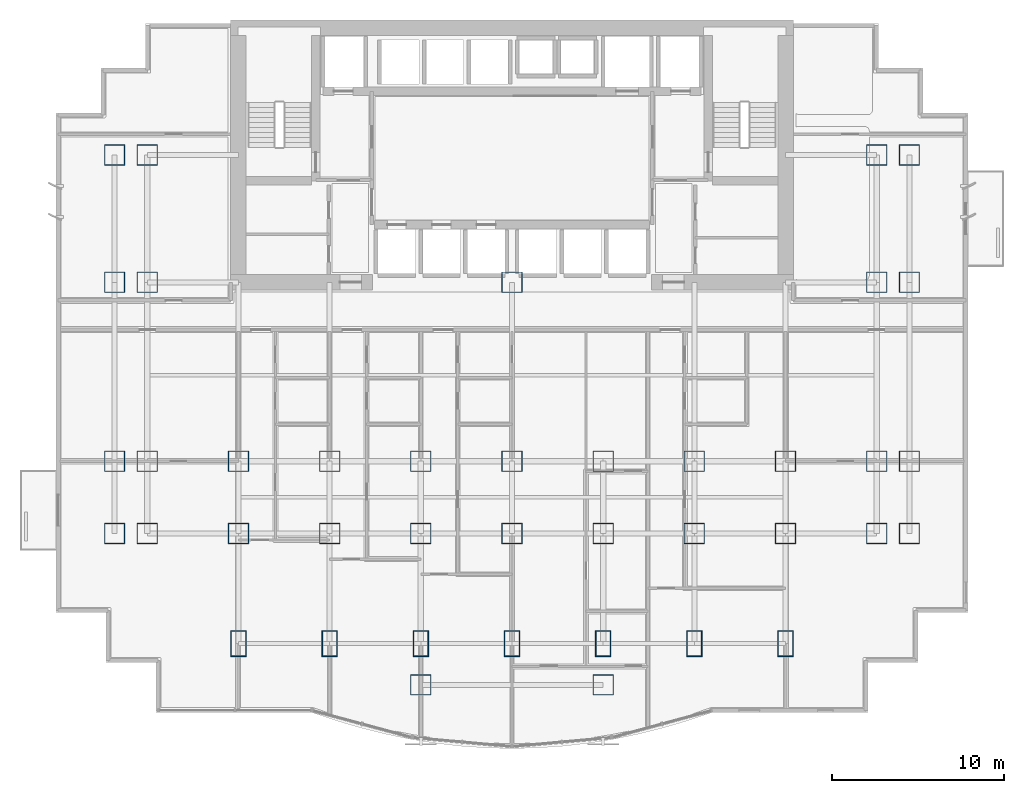
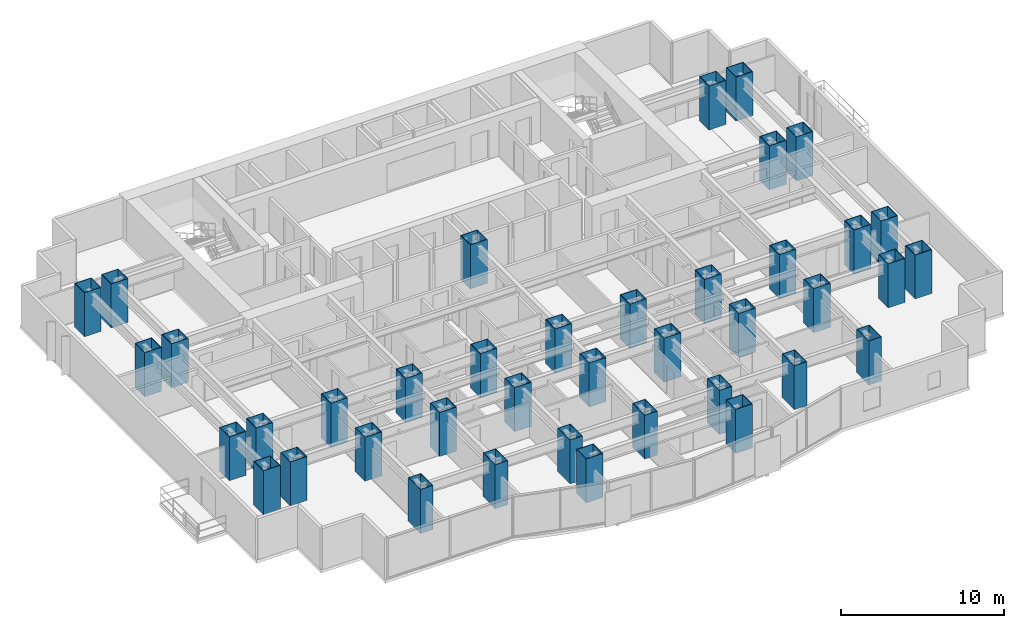
# One storey, part 1 of 10: 40 columns.
"""IFC4 building model written with IfcOpenShell, lengths in metres."""

from ifc_helpers import new_model, si_unit, direction, frame, origin, origin_2d, place, context, subcontext, project, spatial, hollow_rectangle, extrude, material, material_profile, profile_set, type_object, element, save


model = new_model("IFC4")

# Units and contexts
model_context = context("Model", 3, precision=1e-05, world=origin(), true_north=direction((0.0, 1.0)))
body_context = subcontext(model_context, "Body", "Model", "MODEL_VIEW")
ifc_project = project(units=[si_unit("LENGTHUNIT", "METRE"), si_unit("AREAUNIT", "SQUARE_METRE"), si_unit("VOLUMEUNIT", "CUBIC_METRE"), si_unit("PLANEANGLEUNIT", "RADIAN"), si_unit("MASSUNIT", "GRAM", prefix="KILO")], contexts=[model_context])

# Site, building, storey
site_placement = place(None, origin())
site = spatial("IfcSite", under=ifc_project, at=site_placement, CompositionType="ELEMENT")
building_placement = place(site_placement, origin())
building = spatial("IfcBuilding", under=site, at=building_placement, Name="Qianlan Lanfeng Residences", CompositionType="ELEMENT")
storey_placement = place(building_placement, frame((0.0, 0.0, 40.699951171875)))
storey = spatial("IfcBuildingStorey", under=building, at=storey_placement, Name="L10", CompositionType="ELEMENT", Elevation=40.699951171875)

# Columns
ifc_material_1 = material(Name="Steel SM570 (420 MPa)", Category="steel")
ifc_material_profile_1 = material_profile(ifc_material_1, hollow_rectangle(XDim=1.199951171875, YDim=1.199951171875, WallThickness=0.0400390625, at=origin_2d()), Name="BOX 1200x1200x40")
ifc_profile_set_1 = profile_set([ifc_material_profile_1], Name="Steel SM570 (420 MPa)")
column_type_1 = type_object("IfcColumnType", Name="C-B1400", PredefinedType="COLUMN", material=ifc_profile_set_1)
for number, where, z_axis, x_axis, name in (
    (1, (26.5, 25.199951171875, 0.0), (0.0, 0.0, 1.0), (1.0, 0.0, 0.0), "L10 Structural Column CP_26.5_25.2"),
    (2, (10.60009765625, 14.800048828125, 0.0), (0.0, 0.0, 1.0), (1.0, 0.0, 0.0), "L10 Structural Column M_10.60_14.80"),
    (3, (10.60009765625, 10.60009765625, 0.0), (0.0, 0.0, 1.0), (1.0, 0.0, 0.0), "L10 Structural Column G_10.60_10.60"),
    (4, (15.89990234375, 14.800048828125, 0.0), (0.0, 0.0, 1.0), (1.0, 0.0, 0.0), "L10 Structural Column M_15.90_14.80"),
    (5, (15.89990234375, 10.60009765625, 0.0), (0.0, 0.0, 1.0), (1.0, 0.0, 0.0), "L10 Structural Column G_15.90_10.60"),
    (6, (21.199951171875, 14.800048828125, 0.0), (0.0, 0.0, 1.0), (1.0, 0.0, 0.0), "L10 Structural Column M_21.20_14.80"),
    (7, (21.199951171875, 10.60009765625, 0.0), (0.0, 0.0, 1.0), (1.0, 0.0, 0.0), "L10 Structural Column G_21.20_10.60"),
    (8, (26.5, 14.800048828125, 0.0), (0.0, 0.0, 1.0), (1.0, 0.0, 0.0), "L10 Structural Column M_26.50_14.80"),
    (9, (26.5, 10.60009765625, 0.0), (0.0, 0.0, 1.0), (1.0, 0.0, 0.0), "L10 Structural Column G_26.50_10.60"),
    (10, (31.800048828125, 14.800048828125, 0.0), (0.0, 0.0, 1.0), (1.0, 0.0, 0.0), "L10 Structural Column M_31.80_14.80"),
    (11, (31.800048828125, 10.60009765625, 0.0), (0.0, 0.0, 1.0), (1.0, 0.0, 0.0), "L10 Structural Column G_31.80_10.60"),
    (12, (37.10009765625, 14.800048828125, 0.0), (0.0, 0.0, 1.0), (1.0, 0.0, 0.0), "L10 Structural Column M_37.10_14.80"),
    (13, (37.10009765625, 10.60009765625, 0.0), (0.0, 0.0, 1.0), (1.0, 0.0, 0.0), "L10 Structural Column G_37.10_10.60"),
    (14, (42.39990234375, 14.800048828125, 0.0), (0.0, 0.0, 1.0), (1.0, 0.0, 0.0), "L10 Structural Column M_42.40_14.80"),
    (15, (42.39990234375, 10.60009765625, 0.0), (0.0, 0.0, 1.0), (1.0, 0.0, 0.0), "L10 Structural Column G_42.40_10.60"),
    (16, (21.199951171875, 1.800048828125, 0.0), (0.0, 0.0, 1.0), (1.0, 0.0, 0.0), "L10 Structural Column P_21.20_1.80"),
    (17, (31.800048828125, 1.800048828125, 0.0), (0.0, 0.0, 1.0), (1.0, 0.0, 0.0), "L10 Structural Column P_31.80_1.80"),
    (18, (3.39990234375, 10.60009765625, 0.0), (0.0, 0.0, 1.0), (1.0, 0.0, 0.0), "L10 Structural Column W_3.40_10.60"),
    (19, (3.39990234375, 14.800048828125, 0.0), (0.0, 0.0, 1.0), (1.0, 0.0, 0.0), "L10 Structural Column W_3.40_14.80"),
    (20, (3.39990234375, 25.199951171875, 0.0), (0.0, 0.0, 1.0), (1.0, 0.0, 0.0), "L10 Structural Column W_3.40_25.20"),
    (21, (3.39990234375, 32.60009765625, 0.0), (0.0, 0.0, 1.0), (1.0, 0.0, 0.0), "L10 Structural Column W_3.40_32.60"),
    (22, (5.300048828125, 10.60009765625, 0.0), (0.0, 0.0, 1.0), (1.0, 0.0, 0.0), "L10 Structural Column W_5.30_10.60"),
    (23, (5.300048828125, 14.800048828125, 0.0), (0.0, 0.0, 1.0), (1.0, 0.0, 0.0), "L10 Structural Column W_5.30_14.80"),
    (24, (5.300048828125, 25.199951171875, 0.0), (0.0, 0.0, 1.0), (1.0, 0.0, 0.0), "L10 Structural Column W_5.30_25.20"),
    (25, (5.300048828125, 32.60009765625, 0.0), (0.0, 0.0, 1.0), (1.0, 0.0, 0.0), "L10 Structural Column W_5.30_32.60"),
    (26, (47.699951171875, 10.60009765625, 0.0), (0.0, 0.0, 1.0), (1.0, 0.0, 0.0), "L10 Structural Column W_47.70_10.60"),
    (27, (47.699951171875, 14.800048828125, 0.0), (0.0, 0.0, 1.0), (1.0, 0.0, 0.0), "L10 Structural Column W_47.70_14.80"),
    (28, (47.699951171875, 25.199951171875, 0.0), (0.0, 0.0, 1.0), (1.0, 0.0, 0.0), "L10 Structural Column W_47.70_25.20"),
    (29, (47.699951171875, 32.60009765625, 0.0), (0.0, 0.0, 1.0), (1.0, 0.0, 0.0), "L10 Structural Column W_47.70_32.60"),
    (30, (49.60009765625, 10.60009765625, 0.0), (0.0, 0.0, 1.0), (1.0, 0.0, 0.0), "L10 Structural Column W_49.60_10.60"),
    (31, (49.60009765625, 14.800048828125, 0.0), (0.0, 0.0, 1.0), (1.0, 0.0, 0.0), "L10 Structural Column W_49.60_14.80"),
    (32, (49.60009765625, 25.199951171875, 0.0), (0.0, 0.0, 1.0), (1.0, 0.0, 0.0), "L10 Structural Column W_49.60_25.20"),
    (33, (49.60009765625, 32.60009765625, 0.0), (0.0, 0.0, 1.0), (1.0, 0.0, 0.0), "L10 Structural Column W_49.60_32.60"),
):
    element("IfcColumn", number, at=place(storey_placement, frame(where, z_axis=z_axis, x_axis=x_axis)), inside=storey, type_object=column_type_1, Name=name, PredefinedType="COLUMN", context=body_context, shape_type="SweptSolid", body=[
        extrude(hollow_rectangle(XDim=1.199951171875, YDim=1.199951171875, WallThickness=0.0400390625, at=origin_2d()), origin(), (0.0, 0.0, 1.0), 3.300048828125),
    ])
ifc_material_2 = material(Name="Steel SN490B", Category="steel")
ifc_material_profile_2 = material_profile(ifc_material_2, hollow_rectangle(XDim=0.89990234375, YDim=1.5, WallThickness=0.035888671875, at=origin_2d()), Name="BOX 1500x900x36")
ifc_profile_set_2 = profile_set([ifc_material_profile_2], Name="Steel SN490B")
column_type_2 = type_object("IfcColumnType", Name="CE-B1250", PredefinedType="COLUMN", material=ifc_profile_set_2)
for number, where, z_axis, x_axis, name in (
    (34, (10.60009765625, 4.199951171875, 0.0), (0.0, 0.0, 1.0), (1.0, 0.0, 0.0), "L10 Structural Column S_10.60_4.20"),
    (35, (15.89990234375, 4.199951171875, 0.0), (0.0, 0.0, 1.0), (1.0, 0.0, 0.0), "L10 Structural Column S_15.90_4.20"),
    (36, (21.199951171875, 4.199951171875, 0.0), (0.0, 0.0, 1.0), (1.0, 0.0, 0.0), "L10 Structural Column S_21.20_4.20"),
    (37, (26.5, 4.199951171875, 0.0), (0.0, 0.0, 1.0), (1.0, 0.0, 0.0), "L10 Structural Column S_26.50_4.20"),
    (38, (31.800048828125, 4.199951171875, 0.0), (0.0, 0.0, 1.0), (1.0, 0.0, 0.0), "L10 Structural Column S_31.80_4.20"),
    (39, (37.10009765625, 4.199951171875, 0.0), (0.0, 0.0, 1.0), (1.0, 0.0, 0.0), "L10 Structural Column S_37.10_4.20"),
    (40, (42.39990234375, 4.199951171875, 0.0), (0.0, 0.0, 1.0), (1.0, 0.0, 0.0), "L10 Structural Column S_42.40_4.20"),
):
    element("IfcColumn", number, at=place(storey_placement, frame(where, z_axis=z_axis, x_axis=x_axis)), inside=storey, type_object=column_type_2, Name=name, PredefinedType="COLUMN", context=body_context, shape_type="SweptSolid", body=[
        extrude(hollow_rectangle(XDim=0.89990234375, YDim=1.5, WallThickness=0.035888671875, at=origin_2d()), origin(), (0.0, 0.0, 1.0), 3.300048828125),
    ])

save(model, "model.ifc")
